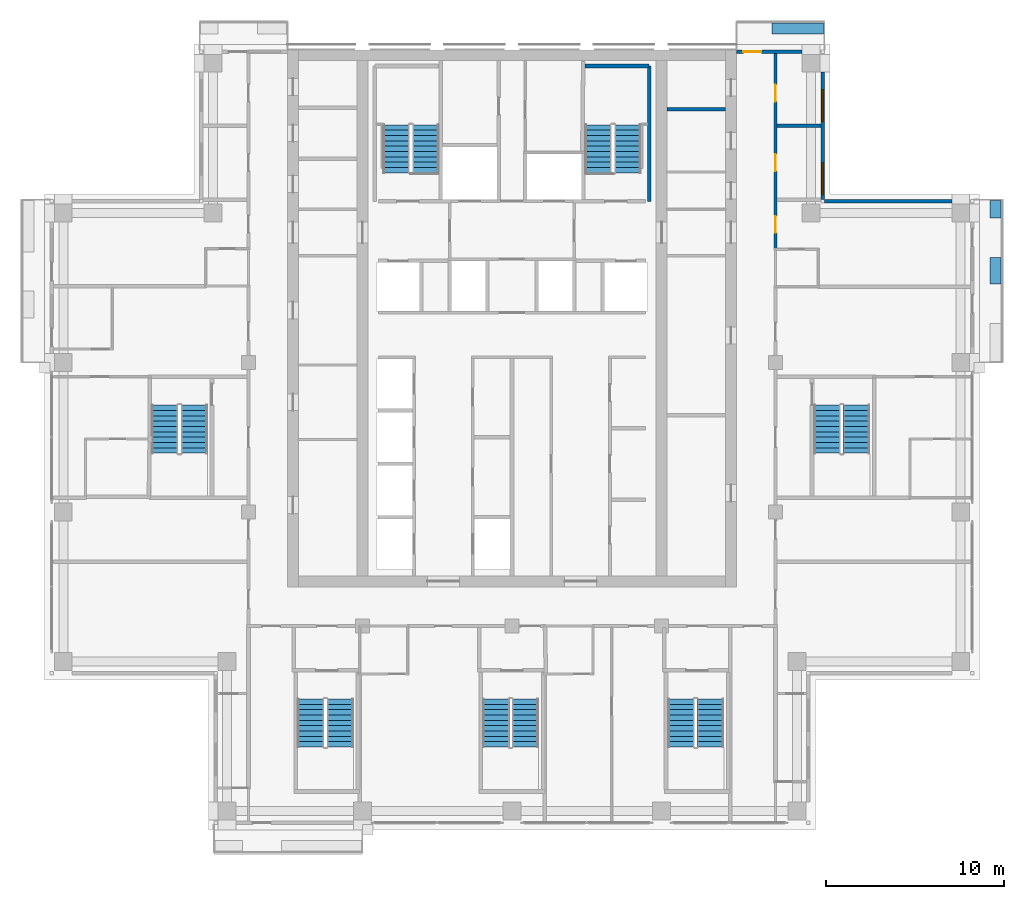
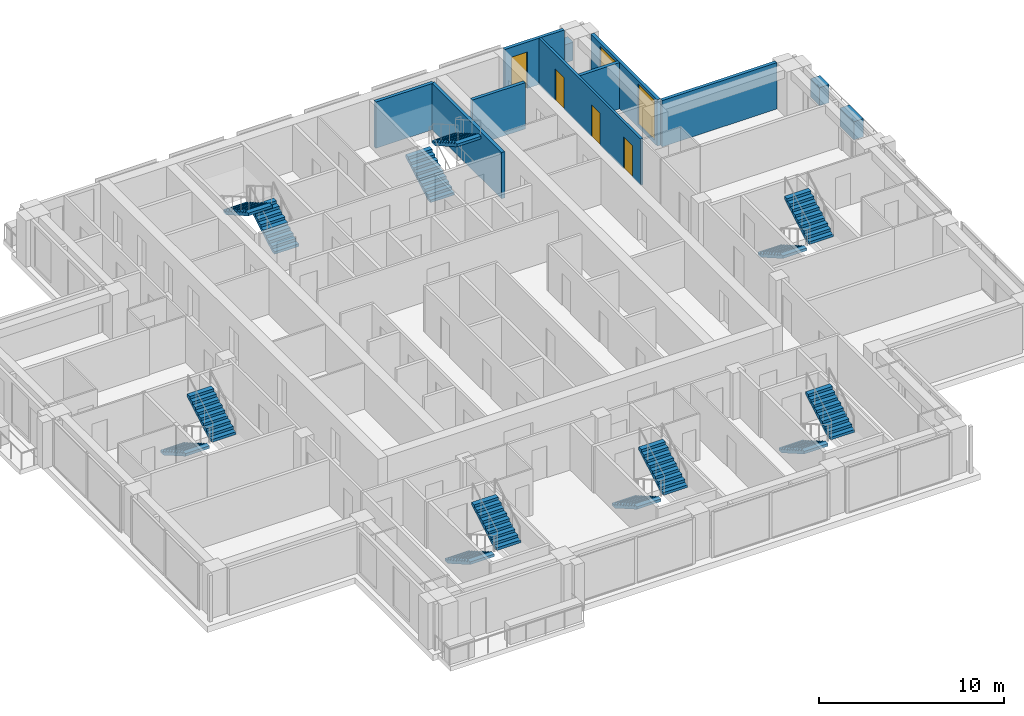
# One storey, part 13 of 16: 14 stair flights, 11 walls, 4 doors, 2 windows, 6 openings, 7 elements without a shape of their own.
"""IFC4 building model written with IfcOpenShell, lengths in metres."""

from ifc_helpers import new_model, si_unit, direction, frame, frame_2d, origin, place, context, subcontext, project, spatial, polyline, rectangle, outline, extrude, material, layer, layer_set, type_object, element, fill, aggregate, save


model = new_model("IFC4")

# Units and contexts
model_context = context("Model", 3, precision=1e-05, world=origin(), true_north=direction((0.0, 1.0)))
body_context = subcontext(model_context, "Body", "Model", "MODEL_VIEW")
ifc_project = project(units=[si_unit("LENGTHUNIT", "METRE"), si_unit("AREAUNIT", "SQUARE_METRE"), si_unit("VOLUMEUNIT", "CUBIC_METRE"), si_unit("PLANEANGLEUNIT", "RADIAN"), si_unit("MASSUNIT", "GRAM", prefix="KILO")], contexts=[model_context])

# Site, building, storey
site_placement = place(None, origin())
site = spatial("IfcSite", under=ifc_project, at=site_placement, CompositionType="ELEMENT")
building_placement = place(site_placement, origin())
building = spatial("IfcBuilding", under=site, at=building_placement, Name="Vermilion Ogive Tower", CompositionType="ELEMENT")
storey_placement = place(building_placement, frame((0.0, 0.0, 182.449951171875)))
storey = spatial("IfcBuildingStorey", under=building, at=storey_placement, Name="L47", CompositionType="ELEMENT", Elevation=182.449951171875)

# Wall, openings, doors
ifc_material_1 = material(Name="Gypsum board partition on steel studs", Category="steel")
ifc_layer_1 = layer(ifc_material_1, 0.14990234375)
ifc_layer_set_1 = layer_set([ifc_layer_1], Name="Partition 150 corridor")
wall_type_1 = type_object("IfcWallType", Name="Partition 150 corridor", PredefinedType="PARTITIONING", material=ifc_layer_set_1)
wall_1_placement = place(storey_placement, frame((14.800048828125, 10.60009765625, 0.0), z_axis=(0.0, 0.0, 1.0), x_axis=(0.0, 1.0, 0.0)))
wall_1 = element("IfcWall", 1, at=wall_1_placement, inside=storey, type_object=wall_type_1, Name="L47-W-W074", PredefinedType="PARTITIONING", context=body_context, shape_type="SweptSolid", body=[
    extrude(rectangle(XDim=10.949951171875, YDim=0.14990234375, at=frame_2d((5.47509765625, 0.0))), origin(), (0.0, 0.0, 1.0), 3.050048828125),
])
opening_1_placement = place(wall_1_placement, frame((0.875, 0.0, 0.0)))
opening_1 = element("IfcOpeningElement", 2, at=opening_1_placement, cuts=wall_1, Name="Opening D4G1023", PredefinedType="OPENING", context=body_context, shape_type="SweptSolid", body=[
    extrude(rectangle(XDim=0.949951171875, YDim=2.10009765625, at=frame_2d((0.47509765625, 1.050048828125))), frame((0.0, 0.0849609375, 0.0), z_axis=(0.0, -1.0, 0.0), x_axis=(1.0, 0.0, 0.0)), (0.0, 0.0, 1.0), 0.169921875),
])
opening_2_placement = place(wall_1_placement, frame((4.349853515625, 0.0, 0.0)))
opening_2 = element("IfcOpeningElement", 3, at=opening_2_placement, cuts=wall_1, Name="Opening D4G1025", PredefinedType="OPENING", context=body_context, shape_type="SweptSolid", body=[
    extrude(rectangle(XDim=0.949951171875, YDim=2.10009765625, at=frame_2d((0.47509765625, 1.050048828125))), frame((0.0, 0.0849609375, 0.0), z_axis=(0.0, -1.0, 0.0), x_axis=(1.0, 0.0, 0.0)), (0.0, 0.0, 1.0), 0.169921875),
])
opening_3_placement = place(wall_1_placement, frame((8.25, 0.0, 0.0)))
opening_3 = element("IfcOpeningElement", 4, at=opening_3_placement, cuts=wall_1, Name="Opening D4G1026", PredefinedType="OPENING", context=body_context, shape_type="SweptSolid", body=[
    extrude(rectangle(XDim=0.949951171875, YDim=2.10009765625, at=frame_2d((0.47509765625, 1.050048828125))), frame((0.0, 0.0849609375, 0.0), z_axis=(0.0, -1.0, 0.0), x_axis=(1.0, 0.0, 0.0)), (0.0, 0.0, 1.0), 0.169921875),
])
ifc_material_2 = material(Name="Timber door leaf", Category="wood")
door_type_1 = type_object("IfcDoorType", Name="Unit door 950 x 2100 FD30S", OperationType="SINGLE_SWING_LEFT", PredefinedType="DOOR", material=ifc_material_2)
door_1_placement = place(opening_1_placement, origin())
door_1 = element("IfcDoor", 5, at=door_1_placement, inside=storey, type_object=door_type_1, Name="L47-D-D023", OperationType="SINGLE_SWING_RIGHT", OverallHeight=2.10009765625, OverallWidth=0.949951171875, PredefinedType="DOOR", context=body_context, shape_type="SweptSolid", body=[
    extrude(rectangle(XDim=0.949951171875, YDim=2.10009765625, at=frame_2d((0.47509765625, 1.050048828125))), frame((0.0, 0.02490234375, 0.0), z_axis=(0.0, -1.0, 0.0), x_axis=(1.0, 0.0, 0.0)), (0.0, 0.0, 1.0), 0.050048828125),
])
fill(opening_1, door_1)
door_2_placement = place(opening_2_placement, origin())
door_2 = element("IfcDoor", 6, at=door_2_placement, inside=storey, type_object=door_type_1, Name="L47-D-D025", OperationType="SINGLE_SWING_RIGHT", OverallHeight=2.10009765625, OverallWidth=0.949951171875, PredefinedType="DOOR", context=body_context, shape_type="SweptSolid", body=[
    extrude(rectangle(XDim=0.949951171875, YDim=2.10009765625, at=frame_2d((0.47509765625, 1.050048828125))), frame((0.0, 0.02490234375, 0.0), z_axis=(0.0, -1.0, 0.0), x_axis=(1.0, 0.0, 0.0)), (0.0, 0.0, 1.0), 0.050048828125),
])
fill(opening_2, door_2)
door_3_placement = place(opening_3_placement, origin())
door_3 = element("IfcDoor", 7, at=door_3_placement, inside=storey, type_object=door_type_1, Name="L47-D-D026", OperationType="SINGLE_SWING_LEFT", OverallHeight=2.10009765625, OverallWidth=0.949951171875, PredefinedType="DOOR", context=body_context, shape_type="SweptSolid", body=[
    extrude(rectangle(XDim=0.949951171875, YDim=2.10009765625, at=frame_2d((0.47509765625, 1.050048828125))), frame((0.0, 0.02490234375, 0.0), z_axis=(0.0, -1.0, 0.0), x_axis=(1.0, 0.0, 0.0)), (0.0, 0.0, 1.0), 0.050048828125),
])
fill(opening_3, door_3)

# Walls
ifc_material_3 = material(Name="Gypsum board partition on steel studs", Category="steel")
ifc_layer_2 = layer(ifc_material_3, 0.199951171875)
ifc_layer_set_2 = layer_set([ifc_layer_2], Name="Partition 200 party")
wall_type_2 = type_object("IfcWallType", Name="Partition 200 party", PredefinedType="PARTITIONING", material=ifc_layer_set_2)
wall_2_placement = place(storey_placement, frame((14.875, 17.5, 0.0), z_axis=(0.0, 0.0, 1.0), x_axis=(1.0, 0.0, 0.0)))
element("IfcWall", 8, at=wall_2_placement, inside=storey, type_object=wall_type_2, Name="L47-W-W041", PredefinedType="PARTITIONING", context=body_context, shape_type="SweptSolid", body=[
    extrude(rectangle(XDim=2.47509765625, YDim=0.199951171875, at=frame_2d((1.237548828125, 0.0))), origin(), (0.0, 0.0, 1.0), 3.050048828125),
])
wall_3_placement = place(storey_placement, frame((8.700927734375, 18.410888671875, 0.0), z_axis=(0.0, 0.0, 1.0), x_axis=(1.0, 0.0, 0.0)))
element("IfcWall", 9, at=wall_3_placement, inside=storey, type_object=wall_type_2, Name="L47-CKE-W-W005", PredefinedType="PARTITIONING", context=body_context, shape_type="SweptSolid", body=[
    extrude(rectangle(XDim=3.298095703125, YDim=0.199951171875, at=frame_2d((1.64892578125, 0.0))), origin(), (0.0, 0.0, 1.0), 3.050048828125),
])
ifc_material_4 = material(Name="Concrete B60", Category="concrete")
ifc_layer_3 = layer(ifc_material_4, 0.199951171875)
ifc_layer_set_3 = layer_set([ifc_layer_3], Name="Stair shaft wall 200 Concrete B60")
wall_type_3 = type_object("IfcWallType", Name="Stair shaft wall 200 Concrete B60", PredefinedType="SOLIDWALL", material=ifc_layer_set_3)
wall_4_placement = place(storey_placement, frame((7.699951171875, 13.25, 0.0), z_axis=(0.0, 0.0, 1.0), x_axis=(0.0, 1.0, 0.0)))
element("IfcWall", 10, at=wall_4_placement, inside=storey, type_object=wall_type_3, Name="L47-SW-R021-E1", PredefinedType="SOLIDWALL", context=body_context, shape_type="SweptSolid", body=[
    extrude(rectangle(XDim=7.60009765625, YDim=0.199951171875, at=frame_2d((3.800048828125, 0.0))), origin(), (0.0, 0.0, 1.0), 3.050048828125),
])
wall_5_placement = place(storey_placement, frame((4.10009765625, 20.85009765625, 0.0), z_axis=(0.0, 0.0, 1.0), x_axis=(1.0, 0.0, 0.0)))
element("IfcWall", 11, at=wall_5_placement, inside=storey, type_object=wall_type_3, Name="L47-SW-R021-N1", PredefinedType="SOLIDWALL", context=body_context, shape_type="SweptSolid", body=[
    extrude(rectangle(XDim=3.599853515625, YDim=0.199951171875, at=frame_2d((1.7998046875, 0.0))), origin(), (0.0, 0.0, 1.0), 3.050048828125),
])
ifc_material_5 = material(Name="Concrete B40", Category="concrete")
ifc_layer_4 = layer(ifc_material_5, 0.60009765625)
ifc_layer_set_4 = layer_set([ifc_layer_4], Name="Structural planter")
wall_type_4 = type_object("IfcWallType", Name="Structural planter", PredefinedType="USERDEFINED", material=ifc_layer_set_4)
wall_6_placement = place(storey_placement, frame((27.154052734375, 8.60009765625, -0.0400390625), z_axis=(0.0, 0.0, 1.0), x_axis=(0.0, 1.0, 0.0)))
element("IfcWall", 12, at=wall_6_placement, inside=storey, type_object=wall_type_4, Name="Planter E03A2", ObjectType="PLANTER", PredefinedType="USERDEFINED", context=body_context, shape_type="SweptSolid", body=[
    extrude(rectangle(XDim=1.5, YDim=0.60009765625, at=frame_2d((0.75, 0.0))), origin(), (0.0, 0.0, 1.0), 1.2001953125),
])
wall_7_placement = place(storey_placement, frame((27.154052734375, 12.300048828125, -0.0400390625), z_axis=(0.0, 0.0, 1.0), x_axis=(0.0, 1.0, 0.0)))
element("IfcWall", 13, at=wall_7_placement, inside=storey, type_object=wall_type_4, Name="Planter E03A3", ObjectType="PLANTER", PredefinedType="USERDEFINED", context=body_context, shape_type="SweptSolid", body=[
    extrude(rectangle(XDim=0.989990234375, YDim=0.60009765625, at=frame_2d((0.4951171875, 0.0))), origin(), (0.0, 0.0, 1.0), 1.2001953125),
])
wall_8_placement = place(storey_placement, frame((17.489990234375, 22.9541015625, -0.0400390625), z_axis=(0.0, 0.0, 1.0), x_axis=(-1.0, 0.0, 0.0)))
element("IfcWall", 14, at=wall_8_placement, inside=storey, type_object=wall_type_4, Name="Planter N101A1", ObjectType="PLANTER", PredefinedType="USERDEFINED", context=body_context, shape_type="SweptSolid", body=[
    extrude(rectangle(XDim=2.889892578125, YDim=0.60009765625, at=frame_2d((1.44482421875, 0.0))), origin(), (0.0, 0.0, 1.0), 1.2001953125),
])
ifc_material_6 = material(Name="Aluminium window wall framing", Category="aluminium")
ifc_layer_5 = layer(ifc_material_6, 0.199951171875)
ifc_layer_set_5 = layer_set([ifc_layer_5], Name="Window wall")
wall_type_5 = type_object("IfcWallType", Name="Window wall", PredefinedType="STANDARD", material=ifc_layer_set_5)
wall_9_placement = place(storey_placement, frame((24.699951171875, 13.25, 0.0), z_axis=(0.0, 0.0, 1.0), x_axis=(-1.0, 0.0, 0.0)))
element("IfcWall", 15, at=wall_9_placement, inside=storey, type_object=wall_type_5, Name="Window wall X31", PredefinedType="STANDARD", context=body_context, shape_type="SweptSolid", body=[
    extrude(rectangle(XDim=7.14990234375, YDim=0.199951171875, at=frame_2d((3.574951171875, 0.0))), origin(), (0.0, 0.0, 1.0), 3.050048828125),
])

# Wall, openings, windows
wall_10_placement = place(storey_placement, frame((17.449951171875, 13.35009765625, 0.0), z_axis=(0.0, 0.0, 1.0), x_axis=(0.0, 1.0, 0.0)))
wall_10 = element("IfcWall", 16, at=wall_10_placement, inside=storey, type_object=wall_type_5, Name="Window wall X41", PredefinedType="STANDARD", context=body_context, shape_type="SweptSolid", body=[
    extrude(rectangle(XDim=7.14990234375, YDim=0.199951171875, at=frame_2d((3.574951171875, 0.0))), origin(), (0.0, 0.0, 1.0), 3.050048828125),
])
opening_4_placement = place(wall_10_placement, frame((0.27490234375, 0.0, 0.199951171875)))
opening_4 = element("IfcOpeningElement", 17, at=opening_4_placement, cuts=wall_10, Name="Opening W1-X403", PredefinedType="OPENING", context=body_context, shape_type="SweptSolid", body=[
    extrude(rectangle(XDim=1.800048828125, YDim=2.64990234375, at=frame_2d((0.89990234375, 1.324951171875))), frame((0.0, 0.10986328125, 0.0), z_axis=(0.0, -1.0, 0.0), x_axis=(1.0, 0.0, 0.0)), (0.0, 0.0, 1.0), 0.219970703125),
])
opening_5_placement = place(wall_10_placement, frame((4.3701171875, 0.0, 0.199951171875)))
opening_5 = element("IfcOpeningElement", 18, at=opening_5_placement, cuts=wall_10, Name="Opening W1-X404", PredefinedType="OPENING", context=body_context, shape_type="SweptSolid", body=[
    extrude(rectangle(XDim=1.800048828125, YDim=2.64990234375, at=frame_2d((0.89990234375, 1.324951171875))), frame((0.0, 0.10986328125, 0.0), z_axis=(0.0, -1.0, 0.0), x_axis=(1.0, 0.0, 0.0)), (0.0, 0.0, 1.0), 0.219970703125),
])
ifc_material_7 = material(Name="Aluminium framed double glazing", Category="aluminium")
window_type = type_object("IfcWindowType", Name="Guest window W1", PartitioningType="SINGLE_PANEL", PredefinedType="WINDOW", material=ifc_material_7)
window_1_placement = place(opening_4_placement, origin())
window_1 = element("IfcWindow", 19, at=window_1_placement, inside=storey, type_object=window_type, Name="Window X403", OverallHeight=2.64990234375, OverallWidth=1.800048828125, PartitioningType="SINGLE_PANEL", PredefinedType="WINDOW", context=body_context, shape_type="SweptSolid", body=[
    extrude(rectangle(XDim=1.800048828125, YDim=2.64990234375, at=frame_2d((0.89990234375, 1.324951171875))), frame((0.0, 0.030029296875, 0.0), z_axis=(0.0, -1.0, 0.0), x_axis=(1.0, 0.0, 0.0)), (0.0, 0.0, 1.0), 0.06005859375),
])
fill(opening_4, window_1)
window_2_placement = place(opening_5_placement, origin())
window_2 = element("IfcWindow", 20, at=window_2_placement, inside=storey, type_object=window_type, Name="Window X404", OverallHeight=2.64990234375, OverallWidth=1.800048828125, PartitioningType="SINGLE_PANEL", PredefinedType="WINDOW", context=body_context, shape_type="SweptSolid", body=[
    extrude(rectangle(XDim=1.800048828125, YDim=2.64990234375, at=frame_2d((0.89990234375, 1.324951171875))), frame((0.0, 0.030029296875, 0.0), z_axis=(0.0, -1.0, 0.0), x_axis=(1.0, 0.0, 0.0)), (0.0, 0.0, 1.0), 0.06005859375),
])
fill(opening_5, window_2)

# Wall, opening, door
wall_11_placement = place(storey_placement, frame((16.300048828125, 21.64990234375, 0.0), z_axis=(0.0, 0.0, 1.0), x_axis=(-1.0, 0.0, 0.0)))
wall_11 = element("IfcWall", 21, at=wall_11_placement, inside=storey, type_object=wall_type_5, Name="Window wall N11", PredefinedType="STANDARD", context=body_context, shape_type="SweptSolid", body=[
    extrude(rectangle(XDim=3.699951171875, YDim=0.199951171875, at=frame_2d((1.85009765625, 0.0))), origin(), (0.0, 0.0, 1.0), 3.050048828125),
])
opening_6_placement = place(wall_11_placement, frame((2.300048828125, 0.0, 0.0)))
opening_6 = element("IfcOpeningElement", 22, at=opening_6_placement, cuts=wall_11, Name="Opening D1-N103", PredefinedType="OPENING", context=body_context, shape_type="SweptSolid", body=[
    extrude(rectangle(XDim=1.0, YDim=2.39990234375, at=frame_2d((0.5, 1.199951171875))), frame((0.0, 0.10986328125, 0.0), z_axis=(0.0, -1.0, 0.0), x_axis=(1.0, 0.0, 0.0)), (0.0, 0.0, 1.0), 0.219970703125),
])
ifc_material_8 = material(Name="Aluminium framed glazed door", Category="aluminium")
door_type_2 = type_object("IfcDoorType", Name="Balcony door D1", OperationType="SINGLE_SWING_LEFT", PredefinedType="DOOR", material=ifc_material_8)
door_4_placement = place(opening_6_placement, origin())
door_4 = element("IfcDoor", 23, at=door_4_placement, inside=storey, type_object=door_type_2, Name="Balcony door N103", OperationType="SINGLE_SWING_LEFT", OverallHeight=2.39990234375, OverallWidth=1.0, PredefinedType="DOOR", context=body_context, shape_type="SweptSolid", body=[
    extrude(rectangle(XDim=1.0, YDim=2.39990234375, at=frame_2d((0.5, 1.199951171875))), frame((0.0, 0.02490234375, 0.0), z_axis=(0.0, -1.0, 0.0), x_axis=(1.0, 0.0, 0.0)), (0.0, 0.0, 1.0), 0.050048828125),
])
fill(opening_6, door_4)

# Stair, stair flights
ifc_material_9 = material(Name="Concrete B40", Category="concrete")
stair_type = type_object("IfcStairType", Name="Exit stair 1500", PredefinedType="HALF_TURN_STAIR", material=ifc_material_9)
stair_1_placement = place(storey_placement, origin())
stair_1 = element("IfcStair", 24, at=stair_1_placement, inside=storey, type_object=stair_type, Name="L47 Exit Stair ST1", PredefinedType="HALF_TURN_STAIR")
ifc_material_10 = material(Name="Concrete B40", Category="concrete")
stair_flight_type = type_object("IfcStairFlightType", Name="Stair flight 1500", PredefinedType="STRAIGHT", material=ifc_material_10)
stair_flight_1_placement = place(storey_placement, frame((-4.85009765625, 14.85009765625, 0.0), z_axis=(0.0, 0.0, 1.0), x_axis=(0.0, 1.0, 0.0)))
stair_flight_1 = element("IfcStairFlight", 25, at=stair_flight_1_placement, type_object=stair_flight_type, Name="ST1 flight 1", NumberOfRisers=10, NumberOfTreads=9, PredefinedType="STRAIGHT", RiserHeight=0.1725, TreadLength=0.3, context=body_context, shape_type="SweptSolid", body=[
    extrude(outline(polyline([(0.0, 0.0), (0.0, 0.172607421875), (0.300048828125, 0.172607421875), (0.300048828125, 0.344970703125), (0.60009765625, 0.344970703125), (0.60009765625, 0.517578125), (0.89990234375, 0.517578125), (0.89990234375, 0.68994140625), (1.199951171875, 0.68994140625), (1.199951171875, 0.862548828125), (1.5, 0.862548828125), (1.5, 1.034912109375), (1.800048828125, 1.034912109375), (1.800048828125, 1.20751953125), (2.10009765625, 1.20751953125), (2.10009765625, 1.3798828125), (2.39990234375, 1.3798828125), (2.39990234375, 1.552490234375), (2.699951171875, 1.552490234375), (2.699951171875, 1.72509765625), (2.699951171875, 1.379638671875), (0.30078125, 0.0), (0.0, 0.0)])), frame((0.0, 0.75, 0.0), z_axis=(0.0, -1.0, 0.0), x_axis=(1.0, 0.0, 0.0)), (0.0, 0.0, 1.0), 1.5),
])
stair_flight_2_placement = place(storey_placement, frame((-6.5, 17.550048828125, 1.72509765625), z_axis=(0.0, 0.0, 1.0), x_axis=(0.0, -1.0, 0.0)))
stair_flight_2 = element("IfcStairFlight", 26, at=stair_flight_2_placement, type_object=stair_flight_type, Name="ST1 flight 2", NumberOfRisers=10, NumberOfTreads=9, PredefinedType="STRAIGHT", RiserHeight=0.1725, TreadLength=0.3, context=body_context, shape_type="SweptSolid", body=[
    extrude(outline(polyline([(0.0, 0.0), (0.0, 0.172607421875), (0.300048828125, 0.172607421875), (0.300048828125, 0.344970703125), (0.60009765625, 0.344970703125), (0.60009765625, 0.517578125), (0.89990234375, 0.517578125), (0.89990234375, 0.68994140625), (1.199951171875, 0.68994140625), (1.199951171875, 0.862548828125), (1.5, 0.862548828125), (1.5, 1.034912109375), (1.800048828125, 1.034912109375), (1.800048828125, 1.20751953125), (2.10009765625, 1.20751953125), (2.10009765625, 1.3798828125), (2.39990234375, 1.3798828125), (2.39990234375, 1.552490234375), (2.699951171875, 1.552490234375), (2.699951171875, 1.72509765625), (2.699951171875, 1.379638671875), (0.30078125, 0.0), (0.0, 0.0)])), frame((0.0, 0.75, 0.0), z_axis=(0.0, -1.0, 0.0), x_axis=(1.0, 0.0, 0.0)), (0.0, 0.0, 1.0), 1.5),
])
aggregate(stair_1, [stair_flight_1, stair_flight_2])

stair_2_placement = place(storey_placement, origin())
stair_2 = element("IfcStair", 27, at=stair_2_placement, inside=storey, type_object=stair_type, Name="L47 Exit Stair ST2", PredefinedType="HALF_TURN_STAIR")
stair_flight_3_placement = place(storey_placement, frame((4.85009765625, 14.85009765625, 0.0), z_axis=(0.0, 0.0, 1.0), x_axis=(0.0, 1.0, 0.0)))
stair_flight_3 = element("IfcStairFlight", 28, at=stair_flight_3_placement, type_object=stair_flight_type, Name="ST2 flight 1", NumberOfRisers=10, NumberOfTreads=9, PredefinedType="STRAIGHT", RiserHeight=0.1725, TreadLength=0.3, context=body_context, shape_type="SweptSolid", body=[
    extrude(outline(polyline([(0.0, 0.0), (0.0, 0.172607421875), (0.300048828125, 0.172607421875), (0.300048828125, 0.344970703125), (0.60009765625, 0.344970703125), (0.60009765625, 0.517578125), (0.89990234375, 0.517578125), (0.89990234375, 0.68994140625), (1.199951171875, 0.68994140625), (1.199951171875, 0.862548828125), (1.5, 0.862548828125), (1.5, 1.034912109375), (1.800048828125, 1.034912109375), (1.800048828125, 1.20751953125), (2.10009765625, 1.20751953125), (2.10009765625, 1.3798828125), (2.39990234375, 1.3798828125), (2.39990234375, 1.552490234375), (2.699951171875, 1.552490234375), (2.699951171875, 1.72509765625), (2.699951171875, 1.379638671875), (0.30078125, 0.0), (0.0, 0.0)])), frame((0.0, 0.75, 0.0), z_axis=(0.0, -1.0, 0.0), x_axis=(1.0, 0.0, 0.0)), (0.0, 0.0, 1.0), 1.5),
])
stair_flight_4_placement = place(storey_placement, frame((6.5, 17.550048828125, 1.72509765625), z_axis=(0.0, 0.0, 1.0), x_axis=(0.0, -1.0, 0.0)))
stair_flight_4 = element("IfcStairFlight", 29, at=stair_flight_4_placement, type_object=stair_flight_type, Name="ST2 flight 2", NumberOfRisers=10, NumberOfTreads=9, PredefinedType="STRAIGHT", RiserHeight=0.1725, TreadLength=0.3, context=body_context, shape_type="SweptSolid", body=[
    extrude(outline(polyline([(0.0, 0.0), (0.0, 0.172607421875), (0.300048828125, 0.172607421875), (0.300048828125, 0.344970703125), (0.60009765625, 0.344970703125), (0.60009765625, 0.517578125), (0.89990234375, 0.517578125), (0.89990234375, 0.68994140625), (1.199951171875, 0.68994140625), (1.199951171875, 0.862548828125), (1.5, 0.862548828125), (1.5, 1.034912109375), (1.800048828125, 1.034912109375), (1.800048828125, 1.20751953125), (2.10009765625, 1.20751953125), (2.10009765625, 1.3798828125), (2.39990234375, 1.3798828125), (2.39990234375, 1.552490234375), (2.699951171875, 1.552490234375), (2.699951171875, 1.72509765625), (2.699951171875, 1.379638671875), (0.30078125, 0.0), (0.0, 0.0)])), frame((0.0, 0.75, 0.0), z_axis=(0.0, -1.0, 0.0), x_axis=(1.0, 0.0, 0.0)), (0.0, 0.0, 1.0), 1.5),
])
aggregate(stair_2, [stair_flight_3, stair_flight_4])

stair_3_placement = place(storey_placement, origin())
stair_3 = element("IfcStair", 30, at=stair_3_placement, inside=storey, type_object=stair_type, Name="L47 Exit Stair ST3", PredefinedType="HALF_TURN_STAIR")
stair_flight_5_placement = place(storey_placement, frame((-11.300048828125, -14.699951171875, 0.0), z_axis=(0.0, 0.0, 1.0), x_axis=(0.0, -1.0, 0.0)))
stair_flight_5 = element("IfcStairFlight", 31, at=stair_flight_5_placement, type_object=stair_flight_type, Name="ST3 flight 1", NumberOfRisers=10, NumberOfTreads=9, PredefinedType="STRAIGHT", RiserHeight=0.1725, TreadLength=0.3, context=body_context, shape_type="SweptSolid", body=[
    extrude(outline(polyline([(0.0, 0.0), (0.0, 0.172607421875), (0.300048828125, 0.172607421875), (0.300048828125, 0.344970703125), (0.60009765625, 0.344970703125), (0.60009765625, 0.517578125), (0.89990234375, 0.517578125), (0.89990234375, 0.68994140625), (1.199951171875, 0.68994140625), (1.199951171875, 0.862548828125), (1.5, 0.862548828125), (1.5, 1.034912109375), (1.800048828125, 1.034912109375), (1.800048828125, 1.20751953125), (2.10009765625, 1.20751953125), (2.10009765625, 1.3798828125), (2.39990234375, 1.3798828125), (2.39990234375, 1.552490234375), (2.699951171875, 1.552490234375), (2.699951171875, 1.72509765625), (2.699951171875, 1.379638671875), (0.30078125, 0.0), (0.0, 0.0)])), frame((0.0, 0.75, 0.0), z_axis=(0.0, -1.0, 0.0), x_axis=(1.0, 0.0, 0.0)), (0.0, 0.0, 1.0), 1.5),
])
stair_flight_6_placement = place(storey_placement, frame((-9.64990234375, -17.39990234375, 1.72509765625), z_axis=(0.0, 0.0, 1.0), x_axis=(0.0, 1.0, 0.0)))
stair_flight_6 = element("IfcStairFlight", 32, at=stair_flight_6_placement, type_object=stair_flight_type, Name="ST3 flight 2", NumberOfRisers=10, NumberOfTreads=9, PredefinedType="STRAIGHT", RiserHeight=0.1725, TreadLength=0.3, context=body_context, shape_type="SweptSolid", body=[
    extrude(outline(polyline([(0.0, 0.0), (0.0, 0.172607421875), (0.300048828125, 0.172607421875), (0.300048828125, 0.344970703125), (0.60009765625, 0.344970703125), (0.60009765625, 0.517578125), (0.89990234375, 0.517578125), (0.89990234375, 0.68994140625), (1.199951171875, 0.68994140625), (1.199951171875, 0.862548828125), (1.5, 0.862548828125), (1.5, 1.034912109375), (1.800048828125, 1.034912109375), (1.800048828125, 1.20751953125), (2.10009765625, 1.20751953125), (2.10009765625, 1.3798828125), (2.39990234375, 1.3798828125), (2.39990234375, 1.552490234375), (2.699951171875, 1.552490234375), (2.699951171875, 1.72509765625), (2.699951171875, 1.379638671875), (0.30078125, 0.0), (0.0, 0.0)])), frame((0.0, 0.75, 0.0), z_axis=(0.0, -1.0, 0.0), x_axis=(1.0, 0.0, 0.0)), (0.0, 0.0, 1.0), 1.5),
])
aggregate(stair_3, [stair_flight_5, stair_flight_6])

stair_4_placement = place(storey_placement, origin())
stair_4 = element("IfcStair", 33, at=stair_4_placement, inside=storey, type_object=stair_type, Name="L47 Exit Stair ST4", PredefinedType="HALF_TURN_STAIR")
stair_flight_7_placement = place(storey_placement, frame((-0.89990234375, -14.699951171875, 0.0), z_axis=(0.0, 0.0, 1.0), x_axis=(0.0, -1.0, 0.0)))
stair_flight_7 = element("IfcStairFlight", 34, at=stair_flight_7_placement, type_object=stair_flight_type, Name="ST4 flight 1", NumberOfRisers=10, NumberOfTreads=9, PredefinedType="STRAIGHT", RiserHeight=0.1725, TreadLength=0.3, context=body_context, shape_type="SweptSolid", body=[
    extrude(outline(polyline([(0.0, 0.0), (0.0, 0.172607421875), (0.300048828125, 0.172607421875), (0.300048828125, 0.344970703125), (0.60009765625, 0.344970703125), (0.60009765625, 0.517578125), (0.89990234375, 0.517578125), (0.89990234375, 0.68994140625), (1.199951171875, 0.68994140625), (1.199951171875, 0.862548828125), (1.5, 0.862548828125), (1.5, 1.034912109375), (1.800048828125, 1.034912109375), (1.800048828125, 1.20751953125), (2.10009765625, 1.20751953125), (2.10009765625, 1.3798828125), (2.39990234375, 1.3798828125), (2.39990234375, 1.552490234375), (2.699951171875, 1.552490234375), (2.699951171875, 1.72509765625), (2.699951171875, 1.379638671875), (0.30078125, 0.0), (0.0, 0.0)])), frame((0.0, 0.75, 0.0), z_axis=(0.0, -1.0, 0.0), x_axis=(1.0, 0.0, 0.0)), (0.0, 0.0, 1.0), 1.5),
])
stair_flight_8_placement = place(storey_placement, frame((0.75, -17.39990234375, 1.72509765625), z_axis=(0.0, 0.0, 1.0), x_axis=(0.0, 1.0, 0.0)))
stair_flight_8 = element("IfcStairFlight", 35, at=stair_flight_8_placement, type_object=stair_flight_type, Name="ST4 flight 2", NumberOfRisers=10, NumberOfTreads=9, PredefinedType="STRAIGHT", RiserHeight=0.1725, TreadLength=0.3, context=body_context, shape_type="SweptSolid", body=[
    extrude(outline(polyline([(0.0, 0.0), (0.0, 0.172607421875), (0.300048828125, 0.172607421875), (0.300048828125, 0.344970703125), (0.60009765625, 0.344970703125), (0.60009765625, 0.517578125), (0.89990234375, 0.517578125), (0.89990234375, 0.68994140625), (1.199951171875, 0.68994140625), (1.199951171875, 0.862548828125), (1.5, 0.862548828125), (1.5, 1.034912109375), (1.800048828125, 1.034912109375), (1.800048828125, 1.20751953125), (2.10009765625, 1.20751953125), (2.10009765625, 1.3798828125), (2.39990234375, 1.3798828125), (2.39990234375, 1.552490234375), (2.699951171875, 1.552490234375), (2.699951171875, 1.72509765625), (2.699951171875, 1.379638671875), (0.30078125, 0.0), (0.0, 0.0)])), frame((0.0, 0.75, 0.0), z_axis=(0.0, -1.0, 0.0), x_axis=(1.0, 0.0, 0.0)), (0.0, 0.0, 1.0), 1.5),
])
aggregate(stair_4, [stair_flight_7, stair_flight_8])

stair_5_placement = place(storey_placement, origin())
stair_5 = element("IfcStair", 36, at=stair_5_placement, inside=storey, type_object=stair_type, Name="L47 Exit Stair ST5", PredefinedType="HALF_TURN_STAIR")
stair_flight_9_placement = place(storey_placement, frame((9.5, -14.699951171875, 0.0), z_axis=(0.0, 0.0, 1.0), x_axis=(0.0, -1.0, 0.0)))
stair_flight_9 = element("IfcStairFlight", 37, at=stair_flight_9_placement, type_object=stair_flight_type, Name="ST5 flight 1", NumberOfRisers=10, NumberOfTreads=9, PredefinedType="STRAIGHT", RiserHeight=0.1725, TreadLength=0.3, context=body_context, shape_type="SweptSolid", body=[
    extrude(outline(polyline([(0.0, 0.0), (0.0, 0.172607421875), (0.300048828125, 0.172607421875), (0.300048828125, 0.344970703125), (0.60009765625, 0.344970703125), (0.60009765625, 0.517578125), (0.89990234375, 0.517578125), (0.89990234375, 0.68994140625), (1.199951171875, 0.68994140625), (1.199951171875, 0.862548828125), (1.5, 0.862548828125), (1.5, 1.034912109375), (1.800048828125, 1.034912109375), (1.800048828125, 1.20751953125), (2.10009765625, 1.20751953125), (2.10009765625, 1.3798828125), (2.39990234375, 1.3798828125), (2.39990234375, 1.552490234375), (2.699951171875, 1.552490234375), (2.699951171875, 1.72509765625), (2.699951171875, 1.379638671875), (0.30078125, 0.0), (0.0, 0.0)])), frame((0.0, 0.75, 0.0), z_axis=(0.0, -1.0, 0.0), x_axis=(1.0, 0.0, 0.0)), (0.0, 0.0, 1.0), 1.5),
])
stair_flight_10_placement = place(storey_placement, frame((11.14990234375, -17.39990234375, 1.72509765625), z_axis=(0.0, 0.0, 1.0), x_axis=(0.0, 1.0, 0.0)))
stair_flight_10 = element("IfcStairFlight", 38, at=stair_flight_10_placement, type_object=stair_flight_type, Name="ST5 flight 2", NumberOfRisers=10, NumberOfTreads=9, PredefinedType="STRAIGHT", RiserHeight=0.1725, TreadLength=0.3, context=body_context, shape_type="SweptSolid", body=[
    extrude(outline(polyline([(0.0, 0.0), (0.0, 0.172607421875), (0.300048828125, 0.172607421875), (0.300048828125, 0.344970703125), (0.60009765625, 0.344970703125), (0.60009765625, 0.517578125), (0.89990234375, 0.517578125), (0.89990234375, 0.68994140625), (1.199951171875, 0.68994140625), (1.199951171875, 0.862548828125), (1.5, 0.862548828125), (1.5, 1.034912109375), (1.800048828125, 1.034912109375), (1.800048828125, 1.20751953125), (2.10009765625, 1.20751953125), (2.10009765625, 1.3798828125), (2.39990234375, 1.3798828125), (2.39990234375, 1.552490234375), (2.699951171875, 1.552490234375), (2.699951171875, 1.72509765625), (2.699951171875, 1.379638671875), (0.30078125, 0.0), (0.0, 0.0)])), frame((0.0, 0.75, 0.0), z_axis=(0.0, -1.0, 0.0), x_axis=(1.0, 0.0, 0.0)), (0.0, 0.0, 1.0), 1.5),
])
aggregate(stair_5, [stair_flight_9, stair_flight_10])

stair_6_placement = place(storey_placement, origin())
stair_6 = element("IfcStair", 39, at=stair_6_placement, inside=storey, type_object=stair_type, Name="L47 Exit Stair ST8", PredefinedType="HALF_TURN_STAIR")
stair_flight_11_placement = place(storey_placement, frame((17.699951171875, 1.800048828125, 0.0), z_axis=(0.0, 0.0, 1.0), x_axis=(0.0, -1.0, 0.0)))
stair_flight_11 = element("IfcStairFlight", 40, at=stair_flight_11_placement, type_object=stair_flight_type, Name="ST8 flight 1", NumberOfRisers=10, NumberOfTreads=9, PredefinedType="STRAIGHT", RiserHeight=0.1725, TreadLength=0.3, context=body_context, shape_type="SweptSolid", body=[
    extrude(outline(polyline([(0.0, 0.0), (0.0, 0.172607421875), (0.300048828125, 0.172607421875), (0.300048828125, 0.344970703125), (0.60009765625, 0.344970703125), (0.60009765625, 0.517578125), (0.89990234375, 0.517578125), (0.89990234375, 0.68994140625), (1.199951171875, 0.68994140625), (1.199951171875, 0.862548828125), (1.5, 0.862548828125), (1.5, 1.034912109375), (1.800048828125, 1.034912109375), (1.800048828125, 1.20751953125), (2.10009765625, 1.20751953125), (2.10009765625, 1.3798828125), (2.39990234375, 1.3798828125), (2.39990234375, 1.552490234375), (2.699951171875, 1.552490234375), (2.699951171875, 1.72509765625), (2.699951171875, 1.379638671875), (0.30078125, 0.0), (0.0, 0.0)])), frame((0.0, 0.75, 0.0), z_axis=(0.0, -1.0, 0.0), x_axis=(1.0, 0.0, 0.0)), (0.0, 0.0, 1.0), 1.5),
])
stair_flight_12_placement = place(storey_placement, frame((19.35009765625, -0.89990234375, 1.72509765625), z_axis=(0.0, 0.0, 1.0), x_axis=(0.0, 1.0, 0.0)))
stair_flight_12 = element("IfcStairFlight", 41, at=stair_flight_12_placement, type_object=stair_flight_type, Name="ST8 flight 2", NumberOfRisers=10, NumberOfTreads=9, PredefinedType="STRAIGHT", RiserHeight=0.1725, TreadLength=0.3, context=body_context, shape_type="SweptSolid", body=[
    extrude(outline(polyline([(0.0, 0.0), (0.0, 0.172607421875), (0.300048828125, 0.172607421875), (0.300048828125, 0.344970703125), (0.60009765625, 0.344970703125), (0.60009765625, 0.517578125), (0.89990234375, 0.517578125), (0.89990234375, 0.68994140625), (1.199951171875, 0.68994140625), (1.199951171875, 0.862548828125), (1.5, 0.862548828125), (1.5, 1.034912109375), (1.800048828125, 1.034912109375), (1.800048828125, 1.20751953125), (2.10009765625, 1.20751953125), (2.10009765625, 1.3798828125), (2.39990234375, 1.3798828125), (2.39990234375, 1.552490234375), (2.699951171875, 1.552490234375), (2.699951171875, 1.72509765625), (2.699951171875, 1.379638671875), (0.30078125, 0.0), (0.0, 0.0)])), frame((0.0, 0.75, 0.0), z_axis=(0.0, -1.0, 0.0), x_axis=(1.0, 0.0, 0.0)), (0.0, 0.0, 1.0), 1.5),
])
aggregate(stair_6, [stair_flight_11, stair_flight_12])

stair_7_placement = place(storey_placement, origin())
stair_7 = element("IfcStair", 42, at=stair_7_placement, inside=storey, type_object=stair_type, Name="L47 Exit Stair ST9", PredefinedType="HALF_TURN_STAIR")
stair_flight_13_placement = place(storey_placement, frame((-19.5, 1.800048828125, 0.0), z_axis=(0.0, 0.0, 1.0), x_axis=(0.0, -1.0, 0.0)))
stair_flight_13 = element("IfcStairFlight", 43, at=stair_flight_13_placement, type_object=stair_flight_type, Name="ST9 flight 1", NumberOfRisers=10, NumberOfTreads=9, PredefinedType="STRAIGHT", RiserHeight=0.1725, TreadLength=0.3, context=body_context, shape_type="SweptSolid", body=[
    extrude(outline(polyline([(0.0, 0.0), (0.0, 0.172607421875), (0.300048828125, 0.172607421875), (0.300048828125, 0.344970703125), (0.60009765625, 0.344970703125), (0.60009765625, 0.517578125), (0.89990234375, 0.517578125), (0.89990234375, 0.68994140625), (1.199951171875, 0.68994140625), (1.199951171875, 0.862548828125), (1.5, 0.862548828125), (1.5, 1.034912109375), (1.800048828125, 1.034912109375), (1.800048828125, 1.20751953125), (2.10009765625, 1.20751953125), (2.10009765625, 1.3798828125), (2.39990234375, 1.3798828125), (2.39990234375, 1.552490234375), (2.699951171875, 1.552490234375), (2.699951171875, 1.72509765625), (2.699951171875, 1.379638671875), (0.30078125, 0.0), (0.0, 0.0)])), frame((0.0, 0.75, 0.0), z_axis=(0.0, -1.0, 0.0), x_axis=(1.0, 0.0, 0.0)), (0.0, 0.0, 1.0), 1.5),
])
stair_flight_14_placement = place(storey_placement, frame((-17.85009765625, -0.89990234375, 1.72509765625), z_axis=(0.0, 0.0, 1.0), x_axis=(0.0, 1.0, 0.0)))
stair_flight_14 = element("IfcStairFlight", 44, at=stair_flight_14_placement, type_object=stair_flight_type, Name="ST9 flight 2", NumberOfRisers=10, NumberOfTreads=9, PredefinedType="STRAIGHT", RiserHeight=0.1725, TreadLength=0.3, context=body_context, shape_type="SweptSolid", body=[
    extrude(outline(polyline([(0.0, 0.0), (0.0, 0.172607421875), (0.300048828125, 0.172607421875), (0.300048828125, 0.344970703125), (0.60009765625, 0.344970703125), (0.60009765625, 0.517578125), (0.89990234375, 0.517578125), (0.89990234375, 0.68994140625), (1.199951171875, 0.68994140625), (1.199951171875, 0.862548828125), (1.5, 0.862548828125), (1.5, 1.034912109375), (1.800048828125, 1.034912109375), (1.800048828125, 1.20751953125), (2.10009765625, 1.20751953125), (2.10009765625, 1.3798828125), (2.39990234375, 1.3798828125), (2.39990234375, 1.552490234375), (2.699951171875, 1.552490234375), (2.699951171875, 1.72509765625), (2.699951171875, 1.379638671875), (0.30078125, 0.0), (0.0, 0.0)])), frame((0.0, 0.75, 0.0), z_axis=(0.0, -1.0, 0.0), x_axis=(1.0, 0.0, 0.0)), (0.0, 0.0, 1.0), 1.5),
])
aggregate(stair_7, [stair_flight_13, stair_flight_14])

save(model, "model.ifc")
